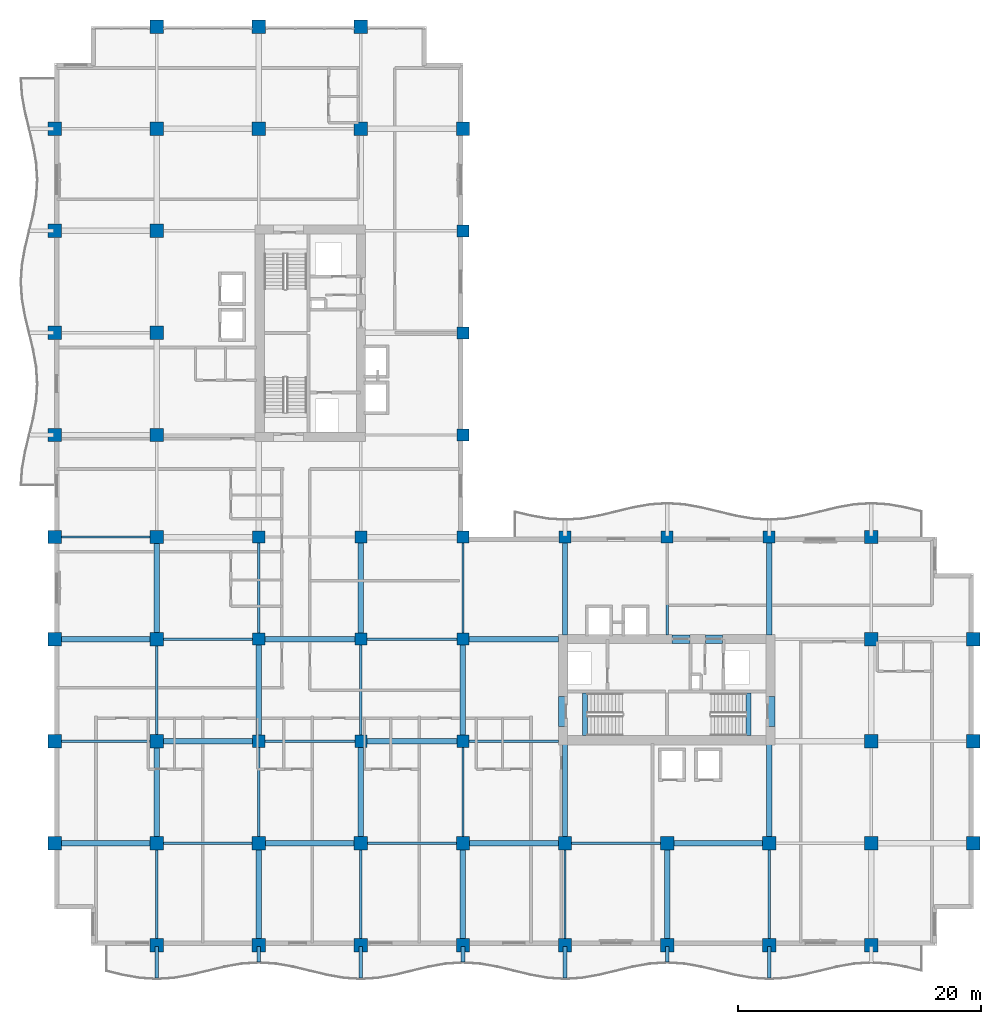
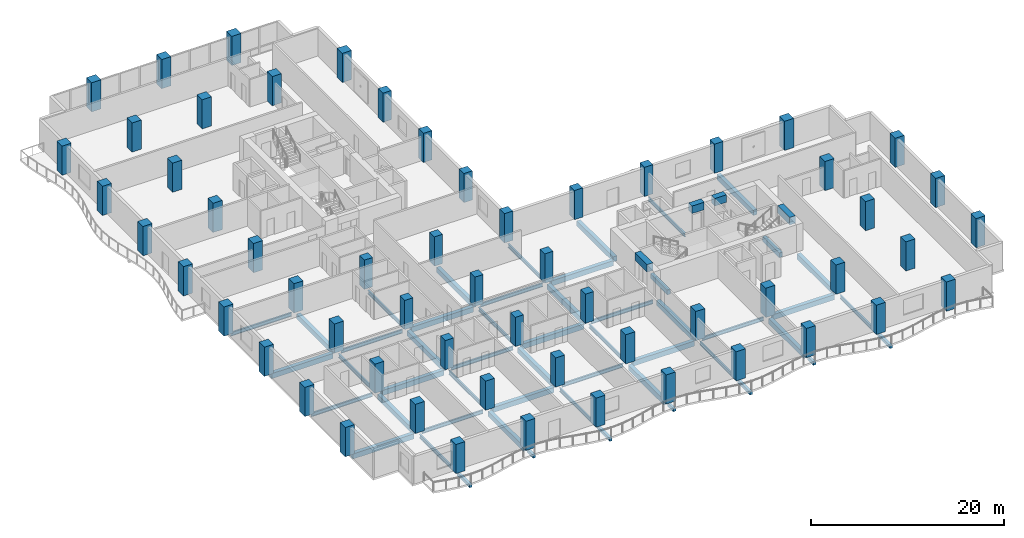
# One storey, part 1 of 20: 58 columns, 55 beams.
"""IFC4 building model written with IfcOpenShell, lengths in metres."""

import ifcopenshell
import ifcopenshell.guid

model = None  # the IFC model being written
_history = None  # IfcOwnerHistory: only IFC2X3 demands one
_inside = {}  # id of a spatial element -> (the spatial element, [elements in it])
_under = {}  # id of a project, library or spatial element -> (it, [spatial elements below it])
_declared = {}  # id of a project -> (the project, [libraries it declares])
_typed = {}  # id of a type object -> (the type object, [elements of that type])
_made_of = {}  # id of a material, layer set ... -> (it, [elements and type objects made of it])


def new_model(schema):
    """Start an empty IFC model of exactly this schema.

    Asked for "IFC4X3", IfcOpenShell would pick the latest addendum, in which some entities
    have other attributes; the version numbers below select the first issue.
    IFC2X3 requires an IfcOwnerHistory on every rooted entity: one is made here for all.
    """
    global model, _history
    if schema == "IFC4X3":
        model = ifcopenshell.file(schema_version=(4, 3, 0, 0))
    else:
        model = ifcopenshell.file(schema=schema)
    _inside.clear()
    _under.clear()
    _declared.clear()
    _typed.clear()
    _made_of.clear()
    _history = None
    if model.schema == "IFC2X3":
        org = make("IfcOrganization", Name="unknown")
        user = make(
            "IfcPersonAndOrganization",
            ThePerson=make("IfcPerson", FamilyName="unknown"),
            TheOrganization=org,
        )
        app = make(
            "IfcApplication",
            ApplicationDeveloper=org,
            Version="unknown",
            ApplicationFullName="unknown",
            ApplicationIdentifier="unknown",
        )
        _history = make(
            "IfcOwnerHistory",
            OwningUser=user,
            OwningApplication=app,
            ChangeAction="ADDED",
            CreationDate=0,
        )
    return model


def make(cls, **values):
    """One entity of the class cls with the attributes given. An attribute that is None is left unset."""
    return model.create_entity(
        cls, **{name: value for name, value in values.items() if value is not None}
    )


def rooted(cls, **values):
    """An entity with a GlobalId (a new one), such as an element, a storey or a relation."""
    return make(cls, GlobalId=ifcopenshell.guid.new(), OwnerHistory=_history, **values)


def si_unit(unit_type, name, prefix=None):
    """IfcSIUnit, for example si_unit("LENGTHUNIT", "METRE", prefix="MILLI")."""
    return make("IfcSIUnit", UnitType=unit_type, Prefix=prefix, Name=name)


def assignment(units):
    """IfcUnitAssignment: the units of a project."""
    return None if units is None else make("IfcUnitAssignment", Units=units)


def point(xyz):
    """IfcCartesianPoint."""
    return None if xyz is None else make("IfcCartesianPoint", Coordinates=xyz)


def direction(xyz):
    """IfcDirection."""
    return None if xyz is None else make("IfcDirection", DirectionRatios=xyz)


def frame(location, z_axis=None, x_axis=None):
    """IfcAxis2Placement3D, a coordinate frame: its origin and axes. An axis left out is left unset."""
    return make(
        "IfcAxis2Placement3D",
        Location=point(location),
        Axis=direction(z_axis),
        RefDirection=direction(x_axis),
    )


def frame_2d(location, x_axis=None):
    """IfcAxis2Placement2D, a coordinate frame in the plane: its origin and x axis."""
    return make(
        "IfcAxis2Placement2D", Location=point(location), RefDirection=direction(x_axis)
    )


def origin():
    """The frame at (0, 0, 0) with its axes left unset."""
    return frame((0.0, 0.0, 0.0))


def origin_2d():
    """The frame at (0, 0) in the plane with its x axis left unset."""
    return frame_2d((0.0, 0.0))


def place(relative_to, where):
    """IfcLocalPlacement: puts the frame where relative to a parent placement (None: the world)."""
    return make(
        "IfcLocalPlacement", PlacementRelTo=relative_to, RelativePlacement=where
    )


def context(
    kind, dimensions, precision=None, world=None, true_north=None, identifier=None
):
    """IfcGeometricRepresentationContext, for example the 3D "Model" context."""
    return make(
        "IfcGeometricRepresentationContext",
        ContextIdentifier=identifier,
        ContextType=kind,
        CoordinateSpaceDimension=dimensions,
        Precision=precision,
        WorldCoordinateSystem=world,
        TrueNorth=true_north,
    )


def subcontext(parent, identifier, kind, view, scale=None):
    """IfcGeometricRepresentationSubContext, for example "Body" below "Model"."""
    return make(
        "IfcGeometricRepresentationSubContext",
        ContextIdentifier=identifier,
        ContextType=kind,
        ParentContext=parent,
        TargetScale=scale,
        TargetView=view,
    )


def project(units=None, contexts=None):
    """IfcProject with its units and contexts."""
    return rooted(
        "IfcProject",
        Name="project",
        RepresentationContexts=contexts,
        UnitsInContext=assignment(units),
    )


def spatial(cls, under=None, at=None, **own):
    """A site, building, storey or space (cls), placed at a placement, below another one or the project."""
    s = rooted(cls, ObjectPlacement=at, **own)
    if under is not None:
        _under.setdefault(under.id(), (under, []))[1].append(s)
    return s


def profile(cls, at=None, kind="AREA", **sizes):
    """A parametric profile (cls). Its sizes go by their IFC names, for example OverallWidth=200.0."""
    return make(cls, ProfileType=kind, Position=at, **sizes)


def rectangle(**sizes):
    """IfcRectangleProfileDef."""
    return profile("IfcRectangleProfileDef", **sizes)


def i_section(**sizes):
    """IfcIShapeProfileDef."""
    return profile("IfcIShapeProfileDef", **sizes)


def extrude(swept, where, along, depth):
    """IfcExtrudedAreaSolid: the profile swept, set in the frame where, extruded along a direction by depth."""
    return make(
        "IfcExtrudedAreaSolid",
        SweptArea=swept,
        Position=where,
        ExtrudedDirection=direction(along),
        Depth=depth,
    )


def shape(context_of_items, identifier, shape_type, items):
    """IfcShapeRepresentation: the items that make up one representation, for example the "Body"."""
    return make(
        "IfcShapeRepresentation",
        ContextOfItems=context_of_items,
        RepresentationIdentifier=identifier,
        RepresentationType=shape_type,
        Items=items,
    )


def material(Name=None, Category=None):
    """IfcMaterial."""
    return make("IfcMaterial", Name=Name, Category=Category)


def material_profile(
    of_material, cross_section, Name=None, Category=None, Priority=None
):
    """IfcMaterialProfile: a cross section and its material."""
    return make(
        "IfcMaterialProfile",
        Name=Name,
        Material=of_material,
        Profile=cross_section,
        Priority=Priority,
        Category=Category,
    )


def profile_set(profiles, Name=None, composite=None):
    """IfcMaterialProfileSet."""
    return make(
        "IfcMaterialProfileSet",
        Name=Name,
        MaterialProfiles=profiles,
        CompositeProfile=composite,
    )


def made_of(thing, what):
    """Note that an element or type object is made of a material, layer set ...; save() writes the relation."""
    if what is not None:
        _made_of.setdefault(what.id(), (what, []))[1].append(thing)
    return thing


def type_object(cls, material=None, **own):
    """A type object (cls), such as IfcWallType, which elements share."""
    return made_of(rooted(cls, **own), material)


def element(
    cls,
    number,
    at=None,
    inside=None,
    cuts=None,
    type_object=None,
    material=None,
    context=None,
    identifier="Body",
    shape_type=None,
    held_by="IfcProductDefinitionShape",
    body=None,
    shapes=None,
    **own,
):
    """One element of the class cls, such as IfcWall. Its Tag is "e" and its number.

    at: its placement. inside: the storey or other place that contains it. cuts: it is an
    opening in that element (IfcRelVoidsElement). A single representation is given by context,
    identifier, shape_type and body (its items); several are given by shapes. held_by: the class
    of the entity that holds the representations. save() writes the other relations.
    """
    e = rooted(cls, Tag="e%d" % number, ObjectPlacement=at, **own)
    if body is not None:
        shapes = [shape(context, identifier, shape_type, body)]
    if shapes is not None:
        e.Representation = make(held_by, Representations=shapes)
    if inside is not None:
        _inside.setdefault(inside.id(), (inside, []))[1].append(e)
    if cuts is not None:
        rooted(
            "IfcRelVoidsElement", RelatingBuildingElement=cuts, RelatedOpeningElement=e
        )
    if type_object is not None:
        _typed.setdefault(type_object.id(), (type_object, []))[1].append(e)
    return made_of(e, material)


def aggregate(whole, parts):
    """IfcRelAggregates: a whole, such as a stair, and the parts it consists of."""
    return rooted("IfcRelAggregates", RelatingObject=whole, RelatedObjects=parts)


def save(model, path):
    """Write the relations noted so far, then the file.

    IfcRelAggregates (storeys below a building ...), IfcRelContainedInSpatialStructure (elements
    in a storey), IfcRelDefinesByType, IfcRelAssociatesMaterial and IfcRelDeclares: one each for
    every whole, place, type object, material and project.
    """
    for whole, parts in _under.values():
        aggregate(whole, parts)
    for where, things in _inside.values():
        rooted(
            "IfcRelContainedInSpatialStructure",
            RelatedElements=things,
            RelatingStructure=where,
        )
    for kind, things in _typed.values():
        rooted("IfcRelDefinesByType", RelatedObjects=things, RelatingType=kind)
    for what, things in _made_of.values():
        rooted("IfcRelAssociatesMaterial", RelatedObjects=things, RelatingMaterial=what)
    for by, libraries in _declared.values():
        rooted("IfcRelDeclares", RelatingContext=by, RelatedDefinitions=libraries)
    model.write(path)


model = new_model("IFC4")

# Units and contexts
model_context = context("Model", 3, precision=1e-05, world=origin(), true_north=direction((0.0, 1.0)))
body_context = subcontext(model_context, "Body", "Model", "MODEL_VIEW")
ifc_project = project(units=[si_unit("LENGTHUNIT", "METRE"), si_unit("AREAUNIT", "SQUARE_METRE"), si_unit("VOLUMEUNIT", "CUBIC_METRE"), si_unit("PLANEANGLEUNIT", "RADIAN"), si_unit("MASSUNIT", "GRAM", prefix="KILO")], contexts=[model_context])

# Site, building, storey
site_placement = place(None, origin())
site = spatial("IfcSite", under=ifc_project, at=site_placement, CompositionType="ELEMENT")
building_placement = place(site_placement, origin())
building = spatial("IfcBuilding", under=site, at=building_placement, Name="Koriwani Terraces Tower", CompositionType="ELEMENT")
storey_placement = place(building_placement, frame((0.0, 0.0, 175.39990234375)))
storey = spatial("IfcBuildingStorey", under=building, at=storey_placement, Name="L42", CompositionType="ELEMENT", Elevation=175.39990234375)

# Columns
ifc_material_1 = material(Name="Concrete C50/60", Category="concrete")
ifc_material_profile_1 = material_profile(ifc_material_1, rectangle(XDim=1.0, YDim=1.0, at=origin_2d()), Name="Concrete C50/60", Category="LoadBearing")
ifc_profile_set_1 = profile_set([ifc_material_profile_1], Name="Concrete C50/60")
column_type_1 = type_object("IfcColumnType", Name="COL_RC_1000X1000", PredefinedType="COLUMN", material=ifc_profile_set_1)
for number, where, z_axis, x_axis, name in (
    (1, (16.800048828125, 16.800048828125, 0.0), (0.0, 0.0, 1.0), (1.0, 0.0, 0.0), "L42 Column 3/C"),
    (2, (16.800048828125, 25.199951171875, 0.0), (0.0, 0.0, 1.0), (1.0, 0.0, 0.0), "L42 Column 3/D"),
    (3, (16.800048828125, 33.60009765625, 0.0), (0.0, 0.0, 1.0), (1.0, 0.0, 0.0), "L42 Column 3/E"),
    (4, (25.199951171875, 16.800048828125, 0.0), (0.0, 0.0, 1.0), (1.0, 0.0, 0.0), "L42 Column 4/C"),
    (5, (25.199951171875, 25.199951171875, 0.0), (0.0, 0.0, 1.0), (1.0, 0.0, 0.0), "L42 Column 4/D"),
    (6, (25.199951171875, 33.60009765625, 0.0), (0.0, 0.0, 1.0), (1.0, 0.0, 0.0), "L42 Column 4/E"),
    (7, (33.60009765625, 16.800048828125, 0.0), (0.0, 0.0, 1.0), (1.0, 0.0, 0.0), "L42 Column 5/C"),
    (8, (33.60009765625, 25.199951171875, 0.0), (0.0, 0.0, 1.0), (1.0, 0.0, 0.0), "L42 Column 5/D"),
    (9, (33.60009765625, 33.60009765625, 0.0), (0.0, 0.0, 1.0), (1.0, 0.0, 0.0), "L42 Column 5/E"),
    (10, (33.60009765625, 42.0, 0.0), (0.0, 0.0, 1.0), (1.0, 0.0, 0.0), "L42 Column 5/F"),
    (11, (33.60009765625, 50.39990234375, 0.0), (0.0, 0.0, 1.0), (1.0, 0.0, 0.0), "L42 Column 5/G"),
    (12, (33.60009765625, 58.800048828125, 0.0), (0.0, 0.0, 1.0), (1.0, 0.0, 0.0), "L42 Column 5/H"),
    (13, (42.0, 33.60009765625, 0.0), (0.0, 0.0, 1.0), (1.0, 0.0, 0.0), "L42 Column 6/E"),
    (14, (50.39990234375, 33.60009765625, 0.0), (0.0, 0.0, 1.0), (1.0, 0.0, 0.0), "L42 Column 7/E"),
    (15, (58.800048828125, 33.60009765625, 0.0), (0.0, 0.0, 1.0), (1.0, 0.0, 0.0), "L42 Column 8/E"),
):
    element("IfcColumn", number, at=place(storey_placement, frame(where, z_axis=z_axis, x_axis=x_axis)), inside=storey, type_object=column_type_1, Name=name, PredefinedType="COLUMN", context=body_context, shape_type="SweptSolid", body=[
        extrude(rectangle(XDim=1.0, YDim=1.0, at=origin_2d()), origin(), (0.0, 0.0, 1.0), 3.7001953125),
    ])
ifc_material_profile_2 = material_profile(ifc_material_1, rectangle(XDim=1.10009765625, YDim=1.10009765625, at=origin_2d()), Name="Concrete C50/60", Category="LoadBearing")
ifc_profile_set_2 = profile_set([ifc_material_profile_2], Name="Concrete C50/60")
column_type_2 = type_object("IfcColumnType", Name="COL_RC_1100X1100", PredefinedType="COLUMN", material=ifc_profile_set_2)
for number, where, z_axis, x_axis, name in (
    (16, (0.0, 8.39990234375, 0.0), (0.0, 0.0, 1.0), (1.0, 0.0, 0.0), "L42 Column 1/B"),
    (17, (0.0, 16.800048828125, 0.0), (0.0, 0.0, 1.0), (1.0, 0.0, 0.0), "L42 Column 1/C"),
    (18, (0.0, 25.199951171875, 0.0), (0.0, 0.0, 1.0), (1.0, 0.0, 0.0), "L42 Column 1/D"),
    (19, (0.0, 33.60009765625, 0.0), (0.0, 0.0, 1.0), (1.0, 0.0, 0.0), "L42 Column 1/E"),
    (20, (0.0, 42.0, 0.0), (0.0, 0.0, 1.0), (1.0, 0.0, 0.0), "L42 Column 1/F"),
    (21, (0.0, 50.39990234375, 0.0), (0.0, 0.0, 1.0), (1.0, 0.0, 0.0), "L42 Column 1/G"),
    (22, (0.0, 58.800048828125, 0.0), (0.0, 0.0, 1.0), (1.0, 0.0, 0.0), "L42 Column 1/H"),
    (23, (0.0, 67.199951171875, 0.0), (0.0, 0.0, 1.0), (1.0, 0.0, 0.0), "L42 Column 1/I"),
    (24, (8.39990234375, 0.0, 0.0), (0.0, 0.0, 1.0), (1.0, 0.0, 0.0), "L42 Column 2/A"),
    (25, (8.39990234375, 8.39990234375, 0.0), (0.0, 0.0, 1.0), (1.0, 0.0, 0.0), "L42 Column 2/B"),
    (26, (8.39990234375, 16.800048828125, 0.0), (0.0, 0.0, 1.0), (1.0, 0.0, 0.0), "L42 Column 2/C"),
    (27, (8.39990234375, 25.199951171875, 0.0), (0.0, 0.0, 1.0), (1.0, 0.0, 0.0), "L42 Column 2/D"),
    (28, (8.39990234375, 33.60009765625, 0.0), (0.0, 0.0, 1.0), (1.0, 0.0, 0.0), "L42 Column 2/E"),
    (29, (8.39990234375, 42.0, 0.0), (0.0, 0.0, 1.0), (1.0, 0.0, 0.0), "L42 Column 2/F"),
    (30, (8.39990234375, 50.39990234375, 0.0), (0.0, 0.0, 1.0), (1.0, 0.0, 0.0), "L42 Column 2/G"),
    (31, (8.39990234375, 58.800048828125, 0.0), (0.0, 0.0, 1.0), (1.0, 0.0, 0.0), "L42 Column 2/H"),
    (32, (8.39990234375, 67.199951171875, 0.0), (0.0, 0.0, 1.0), (1.0, 0.0, 0.0), "L42 Column 2/I"),
    (33, (8.39990234375, 75.60009765625, 0.0), (0.0, 0.0, 1.0), (1.0, 0.0, 0.0), "L42 Column 2/J"),
    (34, (16.800048828125, 0.0, 0.0), (0.0, 0.0, 1.0), (1.0, 0.0, 0.0), "L42 Column 3/A"),
    (35, (16.800048828125, 8.39990234375, 0.0), (0.0, 0.0, 1.0), (1.0, 0.0, 0.0), "L42 Column 3/B"),
    (36, (16.800048828125, 67.199951171875, 0.0), (0.0, 0.0, 1.0), (1.0, 0.0, 0.0), "L42 Column 3/I"),
    (37, (16.800048828125, 75.60009765625, 0.0), (0.0, 0.0, 1.0), (1.0, 0.0, 0.0), "L42 Column 3/J"),
    (38, (25.199951171875, 0.0, 0.0), (0.0, 0.0, 1.0), (1.0, 0.0, 0.0), "L42 Column 4/A"),
    (39, (25.199951171875, 8.39990234375, 0.0), (0.0, 0.0, 1.0), (1.0, 0.0, 0.0), "L42 Column 4/B"),
    (40, (25.199951171875, 67.199951171875, 0.0), (0.0, 0.0, 1.0), (1.0, 0.0, 0.0), "L42 Column 4/I"),
    (41, (25.199951171875, 75.60009765625, 0.0), (0.0, 0.0, 1.0), (1.0, 0.0, 0.0), "L42 Column 4/J"),
    (42, (33.60009765625, 0.0, 0.0), (0.0, 0.0, 1.0), (1.0, 0.0, 0.0), "L42 Column 5/A"),
    (43, (33.60009765625, 8.39990234375, 0.0), (0.0, 0.0, 1.0), (1.0, 0.0, 0.0), "L42 Column 5/B"),
    (44, (33.60009765625, 67.199951171875, 0.0), (0.0, 0.0, 1.0), (1.0, 0.0, 0.0), "L42 Column 5/I"),
    (45, (42.0, 0.0, 0.0), (0.0, 0.0, 1.0), (1.0, 0.0, 0.0), "L42 Column 6/A"),
    (46, (42.0, 8.39990234375, 0.0), (0.0, 0.0, 1.0), (1.0, 0.0, 0.0), "L42 Column 6/B"),
    (47, (50.39990234375, 0.0, 0.0), (0.0, 0.0, 1.0), (1.0, 0.0, 0.0), "L42 Column 7/A"),
    (48, (50.39990234375, 8.39990234375, 0.0), (0.0, 0.0, 1.0), (1.0, 0.0, 0.0), "L42 Column 7/B"),
    (49, (58.800048828125, 0.0, 0.0), (0.0, 0.0, 1.0), (1.0, 0.0, 0.0), "L42 Column 8/A"),
    (50, (58.800048828125, 8.39990234375, 0.0), (0.0, 0.0, 1.0), (1.0, 0.0, 0.0), "L42 Column 8/B"),
    (51, (67.199951171875, 0.0, 0.0), (0.0, 0.0, 1.0), (1.0, 0.0, 0.0), "L42 Column 9/A"),
    (52, (67.199951171875, 8.39990234375, 0.0), (0.0, 0.0, 1.0), (1.0, 0.0, 0.0), "L42 Column 9/B"),
    (53, (67.199951171875, 16.800048828125, 0.0), (0.0, 0.0, 1.0), (1.0, 0.0, 0.0), "L42 Column 9/C"),
    (54, (67.199951171875, 25.199951171875, 0.0), (0.0, 0.0, 1.0), (1.0, 0.0, 0.0), "L42 Column 9/D"),
    (55, (67.199951171875, 33.60009765625, 0.0), (0.0, 0.0, 1.0), (1.0, 0.0, 0.0), "L42 Column 9/E"),
    (56, (75.60009765625, 8.39990234375, 0.0), (0.0, 0.0, 1.0), (1.0, 0.0, 0.0), "L42 Column 10/B"),
    (57, (75.60009765625, 16.800048828125, 0.0), (0.0, 0.0, 1.0), (1.0, 0.0, 0.0), "L42 Column 10/C"),
    (58, (75.60009765625, 25.199951171875, 0.0), (0.0, 0.0, 1.0), (1.0, 0.0, 0.0), "L42 Column 10/D"),
):
    element("IfcColumn", number, at=place(storey_placement, frame(where, z_axis=z_axis, x_axis=x_axis)), inside=storey, type_object=column_type_2, Name=name, PredefinedType="COLUMN", context=body_context, shape_type="SweptSolid", body=[
        extrude(rectangle(XDim=1.10009765625, YDim=1.10009765625, at=origin_2d()), origin(), (0.0, 0.0, 1.0), 3.7001953125),
    ])

# Beams
ifc_material_2 = material(Name="Concrete C40/50", Category="concrete")
ifc_material_profile_3 = material_profile(ifc_material_2, rectangle(XDim=0.300048828125, YDim=0.39990234375, at=origin_2d()), Name="Concrete C40/50", Category="LoadBearing")
ifc_profile_set_3 = profile_set([ifc_material_profile_3], Name="Concrete C40/50")
beam_type_1 = type_object("IfcBeamType", Name="BEAM_RC_BALCONY_RIB_300X400", PredefinedType="JOIST", material=ifc_profile_set_3)
beam_1_placement = place(storey_placement, frame((8.39990234375, -2.699951171875, -0.429931640625), z_axis=(0.0, 1.0, 0.0), x_axis=(-1.0, 0.0, 0.0)))
element("IfcBeam", 59, at=beam_1_placement, inside=storey, type_object=beam_type_1, Name="L42 Balcony Bracket Rib S-1", PredefinedType="JOIST", context=body_context, shape_type="SweptSolid", body=[
    extrude(rectangle(XDim=0.300048828125, YDim=0.39990234375, at=origin_2d()), origin(), (0.0, 0.0, 1.0), 2.599853515625),
])
beam_2_placement = place(storey_placement, frame((16.800048828125, -1.35009765625, -0.429931640625), z_axis=(0.0, 1.0, 0.0), x_axis=(-1.0, 0.0, 0.0)))
element("IfcBeam", 60, at=beam_2_placement, inside=storey, type_object=beam_type_1, Name="L42 Balcony Bracket Rib S-2", PredefinedType="JOIST", context=body_context, shape_type="SweptSolid", body=[
    extrude(rectangle(XDim=0.300048828125, YDim=0.39990234375, at=origin_2d()), origin(), (0.0, 0.0, 1.0), 1.25),
])
beam_3_placement = place(storey_placement, frame((25.199951171875, -2.699951171875, -0.429931640625), z_axis=(0.0, 1.0, 0.0), x_axis=(-1.0, 0.0, 0.0)))
element("IfcBeam", 61, at=beam_3_placement, inside=storey, type_object=beam_type_1, Name="L42 Balcony Bracket Rib S-3", PredefinedType="JOIST", context=body_context, shape_type="SweptSolid", body=[
    extrude(rectangle(XDim=0.300048828125, YDim=0.39990234375, at=origin_2d()), origin(), (0.0, 0.0, 1.0), 2.599853515625),
])
beam_4_placement = place(storey_placement, frame((33.60009765625, -1.35009765625, -0.429931640625), z_axis=(0.0, 1.0, 0.0), x_axis=(-1.0, 0.0, 0.0)))
element("IfcBeam", 62, at=beam_4_placement, inside=storey, type_object=beam_type_1, Name="L42 Balcony Bracket Rib S-4", PredefinedType="JOIST", context=body_context, shape_type="SweptSolid", body=[
    extrude(rectangle(XDim=0.300048828125, YDim=0.39990234375, at=origin_2d()), origin(), (0.0, 0.0, 1.0), 1.25),
])
beam_5_placement = place(storey_placement, frame((42.0, -2.699951171875, -0.429931640625), z_axis=(0.0, 1.0, 0.0), x_axis=(-1.0, 0.0, 0.0)))
element("IfcBeam", 63, at=beam_5_placement, inside=storey, type_object=beam_type_1, Name="L42 Balcony Bracket Rib S-5", PredefinedType="JOIST", context=body_context, shape_type="SweptSolid", body=[
    extrude(rectangle(XDim=0.300048828125, YDim=0.39990234375, at=origin_2d()), origin(), (0.0, 0.0, 1.0), 2.599853515625),
])
beam_6_placement = place(storey_placement, frame((50.39990234375, -1.35009765625, -0.429931640625), z_axis=(0.0, 1.0, 0.0), x_axis=(-1.0, 0.0, 0.0)))
element("IfcBeam", 64, at=beam_6_placement, inside=storey, type_object=beam_type_1, Name="L42 Balcony Bracket Rib S-6", PredefinedType="JOIST", context=body_context, shape_type="SweptSolid", body=[
    extrude(rectangle(XDim=0.300048828125, YDim=0.39990234375, at=origin_2d()), origin(), (0.0, 0.0, 1.0), 1.25),
])
beam_7_placement = place(storey_placement, frame((58.800048828125, -2.699951171875, -0.429931640625), z_axis=(0.0, 1.0, 0.0), x_axis=(-1.0, 0.0, 0.0)))
element("IfcBeam", 65, at=beam_7_placement, inside=storey, type_object=beam_type_1, Name="L42 Balcony Bracket Rib S-7", PredefinedType="JOIST", context=body_context, shape_type="SweptSolid", body=[
    extrude(rectangle(XDim=0.300048828125, YDim=0.39990234375, at=origin_2d()), origin(), (0.0, 0.0, 1.0), 2.599853515625),
])
ifc_material_3 = material(Name="Concrete C60/75", Category="concrete")
ifc_material_profile_4 = material_profile(ifc_material_3, rectangle(XDim=0.699951171875, YDim=0.949951171875, at=origin_2d()), Name="Concrete C60/75", Category="LoadBearing")
ifc_profile_set_4 = profile_set([ifc_material_profile_4], Name="Concrete C60/75")
beam_type_2 = type_object("IfcBeamType", Name="BEAM_RC_COUPLING_700X950", PredefinedType="LINTEL", material=ifc_profile_set_4)
beam_8_placement = place(storey_placement, frame((50.800048828125, 25.199951171875, 2.9951171875), z_axis=(1.0, 0.0, 0.0), x_axis=(0.0, 1.0, 0.0)))
element("IfcBeam", 66, at=beam_8_placement, inside=storey, type_object=beam_type_2, Name="L42 Core Coupling Lintel Beam EN1", PredefinedType="LINTEL", context=body_context, shape_type="SweptSolid", body=[
    extrude(rectangle(XDim=0.699951171875, YDim=0.949951171875, at=origin_2d()), origin(), (0.0, 0.0, 1.0), 1.47998046875),
])
beam_9_placement = place(storey_placement, frame((53.550048828125, 25.199951171875, 2.9951171875), z_axis=(1.0, 0.0, 0.0), x_axis=(0.0, 1.0, 0.0)))
element("IfcBeam", 67, at=beam_9_placement, inside=storey, type_object=beam_type_2, Name="L42 Core Coupling Lintel Beam EN2", PredefinedType="LINTEL", context=body_context, shape_type="SweptSolid", body=[
    extrude(rectangle(XDim=0.699951171875, YDim=0.949951171875, at=origin_2d()), origin(), (0.0, 0.0, 1.0), 1.39990234375),
])
for number, where, z_axis, x_axis, name in (
    (68, (41.824951171875, 18.0, 2.9951171875), (0.0, 1.0, 0.0), (-1.0, 0.0, 0.0), "L42 Core Coupling Lintel Beam EW"),
    (69, (58.925048828125, 18.0, 2.9951171875), (0.0, 1.0, 0.0), (-1.0, 0.0, 0.0), "L42 Core Coupling Lintel Beam EE"),
):
    element("IfcBeam", number, at=place(storey_placement, frame(where, z_axis=z_axis, x_axis=x_axis)), inside=storey, type_object=beam_type_2, Name=name, PredefinedType="LINTEL", context=body_context, shape_type="SweptSolid", body=[
        extrude(rectangle(XDim=0.699951171875, YDim=0.949951171875, at=origin_2d()), origin(), (0.0, 0.0, 1.0), 2.5),
    ])
ifc_material_profile_5 = material_profile(ifc_material_2, rectangle(XDim=0.39990234375, YDim=0.60009765625, at=origin_2d()), Name="Concrete C40/50", Category="LoadBearing")
ifc_profile_set_5 = profile_set([ifc_material_profile_5], Name="Concrete C40/50")
beam_type_3 = type_object("IfcBeamType", Name="BEAM_RC_GRID_400X600", PredefinedType="BEAM", material=ifc_profile_set_5)
for number, where, z_axis, x_axis, name in (
    (70, (43.655029296875, 17.25, -0.2998046875), (0.0, 1.0, 0.0), (-1.0, 0.0, 0.0), "L42 Stairwell Header Trimmer Beam ST-E1"),
    (71, (57.094970703125, 17.25, -0.2998046875), (0.0, 1.0, 0.0), (-1.0, 0.0, 0.0), "L42 Stairwell Header Trimmer Beam ST-E2"),
):
    element("IfcBeam", number, at=place(storey_placement, frame(where, z_axis=z_axis, x_axis=x_axis)), inside=storey, type_object=beam_type_3, Name=name, PredefinedType="BEAM", context=body_context, shape_type="SweptSolid", body=[
        extrude(rectangle(XDim=0.39990234375, YDim=0.60009765625, at=origin_2d()), origin(), (0.0, 0.0, 1.0), 3.5),
    ])
ifc_material_profile_6 = material_profile(ifc_material_1, rectangle(XDim=0.449951171875, YDim=0.64990234375, at=origin_2d()), Name="Concrete C50/60", Category="LoadBearing")
ifc_profile_set_6 = profile_set([ifc_material_profile_6], Name="Concrete C50/60")
beam_type_4 = type_object("IfcBeamType", Name="BEAM_RC_GRID_450X650", PredefinedType="BEAM", material=ifc_profile_set_6)
beam_10_placement = place(storey_placement, frame((0.530029296875, 8.39990234375, -0.554931640625), z_axis=(1.0, 0.0, 0.0), x_axis=(0.0, 1.0, 0.0)))
element("IfcBeam", 72, at=beam_10_placement, inside=storey, type_object=beam_type_4, Name="L42 Grid Beam B (0.0-8.4m)", PredefinedType="BEAM", context=body_context, shape_type="SweptSolid", body=[
    extrude(rectangle(XDim=0.449951171875, YDim=0.64990234375, at=origin_2d()), origin(), (0.0, 0.0, 1.0), 7.340087890625),
])
beam_11_placement = place(storey_placement, frame((17.330078125, 8.39990234375, -0.554931640625), z_axis=(1.0, 0.0, 0.0), x_axis=(0.0, 1.0, 0.0)))
element("IfcBeam", 73, at=beam_11_placement, inside=storey, type_object=beam_type_4, Name="L42 Grid Beam B (16.8-25.2m)", PredefinedType="BEAM", context=body_context, shape_type="SweptSolid", body=[
    extrude(rectangle(XDim=0.449951171875, YDim=0.64990234375, at=origin_2d()), origin(), (0.0, 0.0, 1.0), 7.33984375),
])
for number, where, z_axis, x_axis, name in (
    (74, (34.1298828125, 8.39990234375, -0.554931640625), (1.0, 0.0, 0.0), (0.0, 1.0, 0.0), "L42 Grid Beam B (33.6-42.0m)"),
    (75, (50.929931640625, 8.39990234375, -0.554931640625), (1.0, 0.0, 0.0), (0.0, 1.0, 0.0), "L42 Grid Beam B (50.4-58.8m)"),
):
    element("IfcBeam", number, at=place(storey_placement, frame(where, z_axis=z_axis, x_axis=x_axis)), inside=storey, type_object=beam_type_4, Name=name, PredefinedType="BEAM", context=body_context, shape_type="SweptSolid", body=[
        extrude(rectangle(XDim=0.449951171875, YDim=0.64990234375, at=origin_2d()), origin(), (0.0, 0.0, 1.0), 7.340087890625),
    ])
beam_12_placement = place(storey_placement, frame((8.929931640625, 16.800048828125, -0.554931640625), z_axis=(1.0, 0.0, 0.0), x_axis=(0.0, 1.0, 0.0)))
element("IfcBeam", 76, at=beam_12_placement, inside=storey, type_object=beam_type_4, Name="L42 Grid Beam C (8.4-16.8m)", PredefinedType="BEAM", context=body_context, shape_type="SweptSolid", body=[
    extrude(rectangle(XDim=0.449951171875, YDim=0.64990234375, at=origin_2d()), origin(), (0.0, 0.0, 1.0), 7.39013671875),
])
beam_13_placement = place(storey_placement, frame((25.679931640625, 16.800048828125, -0.554931640625), z_axis=(1.0, 0.0, 0.0), x_axis=(0.0, 1.0, 0.0)))
element("IfcBeam", 77, at=beam_13_placement, inside=storey, type_object=beam_type_4, Name="L42 Grid Beam C (25.2-33.6m)", PredefinedType="BEAM", context=body_context, shape_type="SweptSolid", body=[
    extrude(rectangle(XDim=0.449951171875, YDim=0.64990234375, at=origin_2d()), origin(), (0.0, 0.0, 1.0), 7.440185546875),
])
beam_14_placement = place(storey_placement, frame((0.530029296875, 25.199951171875, -0.554931640625), z_axis=(1.0, 0.0, 0.0), x_axis=(0.0, 1.0, 0.0)))
element("IfcBeam", 78, at=beam_14_placement, inside=storey, type_object=beam_type_4, Name="L42 Grid Beam D (0.0-8.4m)", PredefinedType="BEAM", context=body_context, shape_type="SweptSolid", body=[
    extrude(rectangle(XDim=0.449951171875, YDim=0.64990234375, at=origin_2d()), origin(), (0.0, 0.0, 1.0), 7.340087890625),
])
beam_15_placement = place(storey_placement, frame((17.280029296875, 25.199951171875, -0.554931640625), z_axis=(1.0, 0.0, 0.0), x_axis=(0.0, 1.0, 0.0)))
element("IfcBeam", 79, at=beam_15_placement, inside=storey, type_object=beam_type_4, Name="L42 Grid Beam D (16.8-25.2m)", PredefinedType="BEAM", context=body_context, shape_type="SweptSolid", body=[
    extrude(rectangle(XDim=0.449951171875, YDim=0.64990234375, at=origin_2d()), origin(), (0.0, 0.0, 1.0), 7.43994140625),
])
beam_16_placement = place(storey_placement, frame((34.080078125, 25.199951171875, -0.554931640625), z_axis=(1.0, 0.0, 0.0), x_axis=(0.0, 1.0, 0.0)))
element("IfcBeam", 80, at=beam_16_placement, inside=storey, type_object=beam_type_4, Name="L42 Grid Beam D (33.6-42.0m)", PredefinedType="BEAM", context=body_context, shape_type="SweptSolid", body=[
    extrude(rectangle(XDim=0.449951171875, YDim=0.64990234375, at=origin_2d()), origin(), (0.0, 0.0, 1.0), 7.389892578125),
])
for number, where, z_axis, x_axis, name in (
    (81, (8.39990234375, 8.929931640625, -0.554931640625), (0.0, 1.0, 0.0), (-1.0, 0.0, 0.0), "L42 Grid Beam 2 (8.4-16.8m)"),
    (82, (8.39990234375, 25.72998046875, -0.554931640625), (0.0, 1.0, 0.0), (-1.0, 0.0, 0.0), "L42 Grid Beam 2 (25.2-33.6m)"),
    (83, (16.800048828125, 0.530029296875, -0.554931640625), (0.0, 1.0, 0.0), (-1.0, 0.0, 0.0), "L42 Grid Beam 3 (0.0-8.4m)"),
):
    element("IfcBeam", number, at=place(storey_placement, frame(where, z_axis=z_axis, x_axis=x_axis)), inside=storey, type_object=beam_type_4, Name=name, PredefinedType="BEAM", context=body_context, shape_type="SweptSolid", body=[
        extrude(rectangle(XDim=0.449951171875, YDim=0.64990234375, at=origin_2d()), origin(), (0.0, 0.0, 1.0), 7.340087890625),
    ])
beam_17_placement = place(storey_placement, frame((16.800048828125, 17.280029296875, -0.554931640625), z_axis=(0.0, 1.0, 0.0), x_axis=(-1.0, 0.0, 0.0)))
element("IfcBeam", 84, at=beam_17_placement, inside=storey, type_object=beam_type_4, Name="L42 Grid Beam 3 (16.8-25.2m)", PredefinedType="BEAM", context=body_context, shape_type="SweptSolid", body=[
    extrude(rectangle(XDim=0.449951171875, YDim=0.64990234375, at=origin_2d()), origin(), (0.0, 0.0, 1.0), 7.43994140625),
])
beam_18_placement = place(storey_placement, frame((25.199951171875, 8.929931640625, -0.554931640625), z_axis=(0.0, 1.0, 0.0), x_axis=(-1.0, 0.0, 0.0)))
element("IfcBeam", 85, at=beam_18_placement, inside=storey, type_object=beam_type_4, Name="L42 Grid Beam 4 (8.4-16.8m)", PredefinedType="BEAM", context=body_context, shape_type="SweptSolid", body=[
    extrude(rectangle(XDim=0.449951171875, YDim=0.64990234375, at=origin_2d()), origin(), (0.0, 0.0, 1.0), 7.39013671875),
])
beam_19_placement = place(storey_placement, frame((25.199951171875, 25.679931640625, -0.554931640625), z_axis=(0.0, 1.0, 0.0), x_axis=(-1.0, 0.0, 0.0)))
element("IfcBeam", 86, at=beam_19_placement, inside=storey, type_object=beam_type_4, Name="L42 Grid Beam 4 (25.2-33.6m)", PredefinedType="BEAM", context=body_context, shape_type="SweptSolid", body=[
    extrude(rectangle(XDim=0.449951171875, YDim=0.64990234375, at=origin_2d()), origin(), (0.0, 0.0, 1.0), 7.440185546875),
])
beam_20_placement = place(storey_placement, frame((33.60009765625, 0.530029296875, -0.554931640625), z_axis=(0.0, 1.0, 0.0), x_axis=(-1.0, 0.0, 0.0)))
element("IfcBeam", 87, at=beam_20_placement, inside=storey, type_object=beam_type_4, Name="L42 Grid Beam 5 (0.0-8.4m)", PredefinedType="BEAM", context=body_context, shape_type="SweptSolid", body=[
    extrude(rectangle(XDim=0.449951171875, YDim=0.64990234375, at=origin_2d()), origin(), (0.0, 0.0, 1.0), 7.340087890625),
])
beam_21_placement = place(storey_placement, frame((33.60009765625, 17.280029296875, -0.554931640625), z_axis=(0.0, 1.0, 0.0), x_axis=(-1.0, 0.0, 0.0)))
element("IfcBeam", 88, at=beam_21_placement, inside=storey, type_object=beam_type_4, Name="L42 Grid Beam 5 (16.8-25.2m)", PredefinedType="BEAM", context=body_context, shape_type="SweptSolid", body=[
    extrude(rectangle(XDim=0.449951171875, YDim=0.64990234375, at=origin_2d()), origin(), (0.0, 0.0, 1.0), 7.43994140625),
])
beam_22_placement = place(storey_placement, frame((42.0, 8.929931640625, -0.554931640625), z_axis=(0.0, 1.0, 0.0), x_axis=(-1.0, 0.0, 0.0)))
element("IfcBeam", 89, at=beam_22_placement, inside=storey, type_object=beam_type_4, Name="L42 Grid Beam 6 (8.4-16.8m)", PredefinedType="BEAM", context=body_context, shape_type="SweptSolid", body=[
    extrude(rectangle(XDim=0.449951171875, YDim=0.64990234375, at=origin_2d()), origin(), (0.0, 0.0, 1.0), 7.590087890625),
])
beam_23_placement = place(storey_placement, frame((42.0, 25.554931640625, -0.554931640625), z_axis=(0.0, 1.0, 0.0), x_axis=(-1.0, 0.0, 0.0)))
element("IfcBeam", 90, at=beam_23_placement, inside=storey, type_object=beam_type_4, Name="L42 Grid Beam 6 (25.2-33.6m)", PredefinedType="BEAM", context=body_context, shape_type="SweptSolid", body=[
    extrude(rectangle(XDim=0.449951171875, YDim=0.64990234375, at=origin_2d()), origin(), (0.0, 0.0, 1.0), 7.565185546875),
])
beam_24_placement = place(storey_placement, frame((50.39990234375, 0.530029296875, -0.554931640625), z_axis=(0.0, 1.0, 0.0), x_axis=(-1.0, 0.0, 0.0)))
element("IfcBeam", 91, at=beam_24_placement, inside=storey, type_object=beam_type_4, Name="L42 Grid Beam 7 (0.0-8.4m)", PredefinedType="BEAM", context=body_context, shape_type="SweptSolid", body=[
    extrude(rectangle(XDim=0.449951171875, YDim=0.64990234375, at=origin_2d()), origin(), (0.0, 0.0, 1.0), 7.340087890625),
])
beam_25_placement = place(storey_placement, frame((58.800048828125, 8.929931640625, -0.554931640625), z_axis=(0.0, 1.0, 0.0), x_axis=(-1.0, 0.0, 0.0)))
element("IfcBeam", 92, at=beam_25_placement, inside=storey, type_object=beam_type_4, Name="L42 Grid Beam 8 (8.4-16.8m)", PredefinedType="BEAM", context=body_context, shape_type="SweptSolid", body=[
    extrude(rectangle(XDim=0.449951171875, YDim=0.64990234375, at=origin_2d()), origin(), (0.0, 0.0, 1.0), 7.590087890625),
])
beam_26_placement = place(storey_placement, frame((58.800048828125, 25.554931640625, -0.554931640625), z_axis=(0.0, 1.0, 0.0), x_axis=(-1.0, 0.0, 0.0)))
element("IfcBeam", 93, at=beam_26_placement, inside=storey, type_object=beam_type_4, Name="L42 Grid Beam 8 (25.2-33.6m)", PredefinedType="BEAM", context=body_context, shape_type="SweptSolid", body=[
    extrude(rectangle(XDim=0.449951171875, YDim=0.64990234375, at=origin_2d()), origin(), (0.0, 0.0, 1.0), 7.565185546875),
])
ifc_material_4 = material(Name="Steel ASTM A572 Grade 50", Category="steel")
ifc_material_profile_7 = material_profile(ifc_material_4, i_section(OverallWidth=0.193115234375, OverallDepth=0.462890625, WebThickness=0.0107421875, FlangeThickness=0.017333984375, at=origin_2d()), Name="Steel ASTM A572 Grade 50", Category="LoadBearing")
ifc_profile_set_7 = profile_set([ifc_material_profile_7], Name="Steel ASTM A572 Grade 50")
beam_type_5 = type_object("IfcBeamType", Name="STEEL_BEAM_W460X113", PredefinedType="BEAM", material=ifc_profile_set_7)
for number, where, z_axis, x_axis, name in (
    (94, (8.929931640625, 8.39990234375, -0.46142578125), (1.0, 0.0, 0.0), (0.0, 1.0, 0.0), "L42 Grid Beam B (8.4-16.8m)"),
    (95, (25.72998046875, 8.39990234375, -0.46142578125), (1.0, 0.0, 0.0), (0.0, 1.0, 0.0), "L42 Grid Beam B (25.2-33.6m)"),
    (96, (42.530029296875, 8.39990234375, -0.46142578125), (1.0, 0.0, 0.0), (0.0, 1.0, 0.0), "L42 Grid Beam B (42.0-50.4m)"),
    (97, (0.530029296875, 16.800048828125, -0.46142578125), (1.0, 0.0, 0.0), (0.0, 1.0, 0.0), "L42 Grid Beam C (0.0-8.4m)"),
):
    element("IfcBeam", number, at=place(storey_placement, frame(where, z_axis=z_axis, x_axis=x_axis)), inside=storey, type_object=beam_type_5, Name=name, PredefinedType="BEAM", context=body_context, shape_type="SweptSolid", body=[
        extrude(i_section(OverallWidth=0.193115234375, OverallDepth=0.462890625, WebThickness=0.0107421875, FlangeThickness=0.017333984375, at=origin_2d()), origin(), (0.0, 0.0, 1.0), 7.340087890625),
    ])
beam_27_placement = place(storey_placement, frame((17.280029296875, 16.800048828125, -0.46142578125), z_axis=(1.0, 0.0, 0.0), x_axis=(0.0, 1.0, 0.0)))
element("IfcBeam", 98, at=beam_27_placement, inside=storey, type_object=beam_type_5, Name="L42 Grid Beam C (16.8-25.2m)", PredefinedType="BEAM", context=body_context, shape_type="SweptSolid", body=[
    extrude(i_section(OverallWidth=0.193115234375, OverallDepth=0.462890625, WebThickness=0.0107421875, FlangeThickness=0.017333984375, at=origin_2d()), origin(), (0.0, 0.0, 1.0), 7.43994140625),
])
beam_28_placement = place(storey_placement, frame((34.080078125, 16.800048828125, -0.46142578125), z_axis=(1.0, 0.0, 0.0), x_axis=(0.0, 1.0, 0.0)))
element("IfcBeam", 99, at=beam_28_placement, inside=storey, type_object=beam_type_5, Name="L42 Grid Beam C (33.6-42.0m)", PredefinedType="BEAM", context=body_context, shape_type="SweptSolid", body=[
    extrude(i_section(OverallWidth=0.193115234375, OverallDepth=0.462890625, WebThickness=0.0107421875, FlangeThickness=0.017333984375, at=origin_2d()), origin(), (0.0, 0.0, 1.0), 7.389892578125),
])
beam_29_placement = place(storey_placement, frame((8.929931640625, 25.199951171875, -0.46142578125), z_axis=(1.0, 0.0, 0.0), x_axis=(0.0, 1.0, 0.0)))
element("IfcBeam", 100, at=beam_29_placement, inside=storey, type_object=beam_type_5, Name="L42 Grid Beam D (8.4-16.8m)", PredefinedType="BEAM", context=body_context, shape_type="SweptSolid", body=[
    extrude(i_section(OverallWidth=0.193115234375, OverallDepth=0.462890625, WebThickness=0.0107421875, FlangeThickness=0.017333984375, at=origin_2d()), origin(), (0.0, 0.0, 1.0), 7.39013671875),
])
beam_30_placement = place(storey_placement, frame((25.679931640625, 25.199951171875, -0.46142578125), z_axis=(1.0, 0.0, 0.0), x_axis=(0.0, 1.0, 0.0)))
element("IfcBeam", 101, at=beam_30_placement, inside=storey, type_object=beam_type_5, Name="L42 Grid Beam D (25.2-33.6m)", PredefinedType="BEAM", context=body_context, shape_type="SweptSolid", body=[
    extrude(i_section(OverallWidth=0.193115234375, OverallDepth=0.462890625, WebThickness=0.0107421875, FlangeThickness=0.017333984375, at=origin_2d()), origin(), (0.0, 0.0, 1.0), 7.440185546875),
])
for number, where, z_axis, x_axis, name in (
    (102, (0.530029296875, 33.60009765625, -0.46142578125), (1.0, 0.0, 0.0), (0.0, 1.0, 0.0), "L42 Grid Beam E (0.0-8.4m)"),
    (103, (8.39990234375, 0.530029296875, -0.46142578125), (0.0, 1.0, 0.0), (-1.0, 0.0, 0.0), "L42 Grid Beam 2 (0.0-8.4m)"),
):
    element("IfcBeam", number, at=place(storey_placement, frame(where, z_axis=z_axis, x_axis=x_axis)), inside=storey, type_object=beam_type_5, Name=name, PredefinedType="BEAM", context=body_context, shape_type="SweptSolid", body=[
        extrude(i_section(OverallWidth=0.193115234375, OverallDepth=0.462890625, WebThickness=0.0107421875, FlangeThickness=0.017333984375, at=origin_2d()), origin(), (0.0, 0.0, 1.0), 7.340087890625),
    ])
beam_31_placement = place(storey_placement, frame((8.39990234375, 17.330078125, -0.46142578125), z_axis=(0.0, 1.0, 0.0), x_axis=(-1.0, 0.0, 0.0)))
element("IfcBeam", 104, at=beam_31_placement, inside=storey, type_object=beam_type_5, Name="L42 Grid Beam 2 (16.8-25.2m)", PredefinedType="BEAM", context=body_context, shape_type="SweptSolid", body=[
    extrude(i_section(OverallWidth=0.193115234375, OverallDepth=0.462890625, WebThickness=0.0107421875, FlangeThickness=0.017333984375, at=origin_2d()), origin(), (0.0, 0.0, 1.0), 7.33984375),
])
beam_32_placement = place(storey_placement, frame((16.800048828125, 8.929931640625, -0.46142578125), z_axis=(0.0, 1.0, 0.0), x_axis=(-1.0, 0.0, 0.0)))
element("IfcBeam", 105, at=beam_32_placement, inside=storey, type_object=beam_type_5, Name="L42 Grid Beam 3 (8.4-16.8m)", PredefinedType="BEAM", context=body_context, shape_type="SweptSolid", body=[
    extrude(i_section(OverallWidth=0.193115234375, OverallDepth=0.462890625, WebThickness=0.0107421875, FlangeThickness=0.017333984375, at=origin_2d()), origin(), (0.0, 0.0, 1.0), 7.39013671875),
])
beam_33_placement = place(storey_placement, frame((16.800048828125, 25.679931640625, -0.46142578125), z_axis=(0.0, 1.0, 0.0), x_axis=(-1.0, 0.0, 0.0)))
element("IfcBeam", 106, at=beam_33_placement, inside=storey, type_object=beam_type_5, Name="L42 Grid Beam 3 (25.2-33.6m)", PredefinedType="BEAM", context=body_context, shape_type="SweptSolid", body=[
    extrude(i_section(OverallWidth=0.193115234375, OverallDepth=0.462890625, WebThickness=0.0107421875, FlangeThickness=0.017333984375, at=origin_2d()), origin(), (0.0, 0.0, 1.0), 7.440185546875),
])
beam_34_placement = place(storey_placement, frame((25.199951171875, 0.530029296875, -0.46142578125), z_axis=(0.0, 1.0, 0.0), x_axis=(-1.0, 0.0, 0.0)))
element("IfcBeam", 107, at=beam_34_placement, inside=storey, type_object=beam_type_5, Name="L42 Grid Beam 4 (0.0-8.4m)", PredefinedType="BEAM", context=body_context, shape_type="SweptSolid", body=[
    extrude(i_section(OverallWidth=0.193115234375, OverallDepth=0.462890625, WebThickness=0.0107421875, FlangeThickness=0.017333984375, at=origin_2d()), origin(), (0.0, 0.0, 1.0), 7.340087890625),
])
beam_35_placement = place(storey_placement, frame((25.199951171875, 17.280029296875, -0.46142578125), z_axis=(0.0, 1.0, 0.0), x_axis=(-1.0, 0.0, 0.0)))
element("IfcBeam", 108, at=beam_35_placement, inside=storey, type_object=beam_type_5, Name="L42 Grid Beam 4 (16.8-25.2m)", PredefinedType="BEAM", context=body_context, shape_type="SweptSolid", body=[
    extrude(i_section(OverallWidth=0.193115234375, OverallDepth=0.462890625, WebThickness=0.0107421875, FlangeThickness=0.017333984375, at=origin_2d()), origin(), (0.0, 0.0, 1.0), 7.43994140625),
])
beam_36_placement = place(storey_placement, frame((33.60009765625, 8.929931640625, -0.46142578125), z_axis=(0.0, 1.0, 0.0), x_axis=(-1.0, 0.0, 0.0)))
element("IfcBeam", 109, at=beam_36_placement, inside=storey, type_object=beam_type_5, Name="L42 Grid Beam 5 (8.4-16.8m)", PredefinedType="BEAM", context=body_context, shape_type="SweptSolid", body=[
    extrude(i_section(OverallWidth=0.193115234375, OverallDepth=0.462890625, WebThickness=0.0107421875, FlangeThickness=0.017333984375, at=origin_2d()), origin(), (0.0, 0.0, 1.0), 7.39013671875),
])
beam_37_placement = place(storey_placement, frame((33.60009765625, 25.679931640625, -0.46142578125), z_axis=(0.0, 1.0, 0.0), x_axis=(-1.0, 0.0, 0.0)))
element("IfcBeam", 110, at=beam_37_placement, inside=storey, type_object=beam_type_5, Name="L42 Grid Beam 5 (25.2-33.6m)", PredefinedType="BEAM", context=body_context, shape_type="SweptSolid", body=[
    extrude(i_section(OverallWidth=0.193115234375, OverallDepth=0.462890625, WebThickness=0.0107421875, FlangeThickness=0.017333984375, at=origin_2d()), origin(), (0.0, 0.0, 1.0), 7.440185546875),
])
beam_38_placement = place(storey_placement, frame((42.0, 0.530029296875, -0.46142578125), z_axis=(0.0, 1.0, 0.0), x_axis=(-1.0, 0.0, 0.0)))
element("IfcBeam", 111, at=beam_38_placement, inside=storey, type_object=beam_type_5, Name="L42 Grid Beam 6 (0.0-8.4m)", PredefinedType="BEAM", context=body_context, shape_type="SweptSolid", body=[
    extrude(i_section(OverallWidth=0.193115234375, OverallDepth=0.462890625, WebThickness=0.0107421875, FlangeThickness=0.017333984375, at=origin_2d()), origin(), (0.0, 0.0, 1.0), 7.340087890625),
])
beam_39_placement = place(storey_placement, frame((50.39990234375, 25.554931640625, -0.46142578125), z_axis=(0.0, 1.0, 0.0), x_axis=(-1.0, 0.0, 0.0)))
element("IfcBeam", 112, at=beam_39_placement, inside=storey, type_object=beam_type_5, Name="L42 Grid Beam 7 (25.2-33.6m)", PredefinedType="BEAM", context=body_context, shape_type="SweptSolid", body=[
    extrude(i_section(OverallWidth=0.193115234375, OverallDepth=0.462890625, WebThickness=0.0107421875, FlangeThickness=0.017333984375, at=origin_2d()), origin(), (0.0, 0.0, 1.0), 7.565185546875),
])
beam_40_placement = place(storey_placement, frame((58.800048828125, 0.530029296875, -0.46142578125), z_axis=(0.0, 1.0, 0.0), x_axis=(-1.0, 0.0, 0.0)))
element("IfcBeam", 113, at=beam_40_placement, inside=storey, type_object=beam_type_5, Name="L42 Grid Beam 8 (0.0-8.4m)", PredefinedType="BEAM", context=body_context, shape_type="SweptSolid", body=[
    extrude(i_section(OverallWidth=0.193115234375, OverallDepth=0.462890625, WebThickness=0.0107421875, FlangeThickness=0.017333984375, at=origin_2d()), origin(), (0.0, 0.0, 1.0), 7.340087890625),
])

save(model, "model.ifc")
